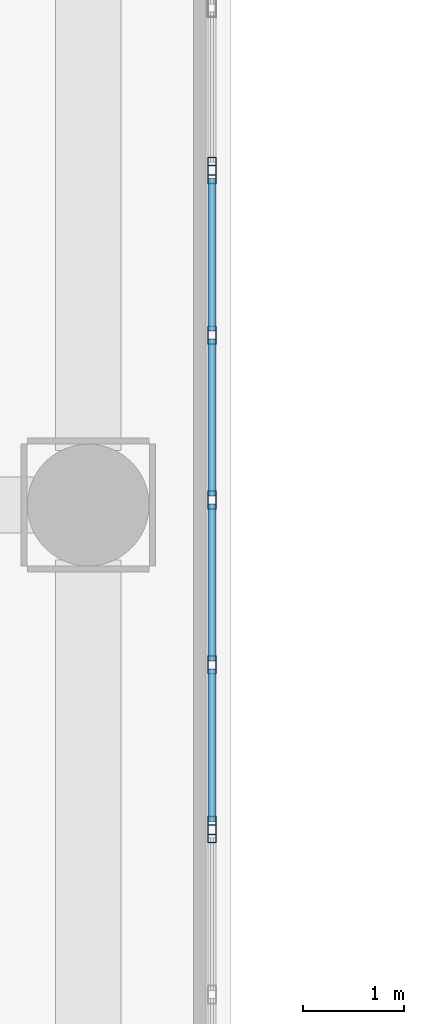
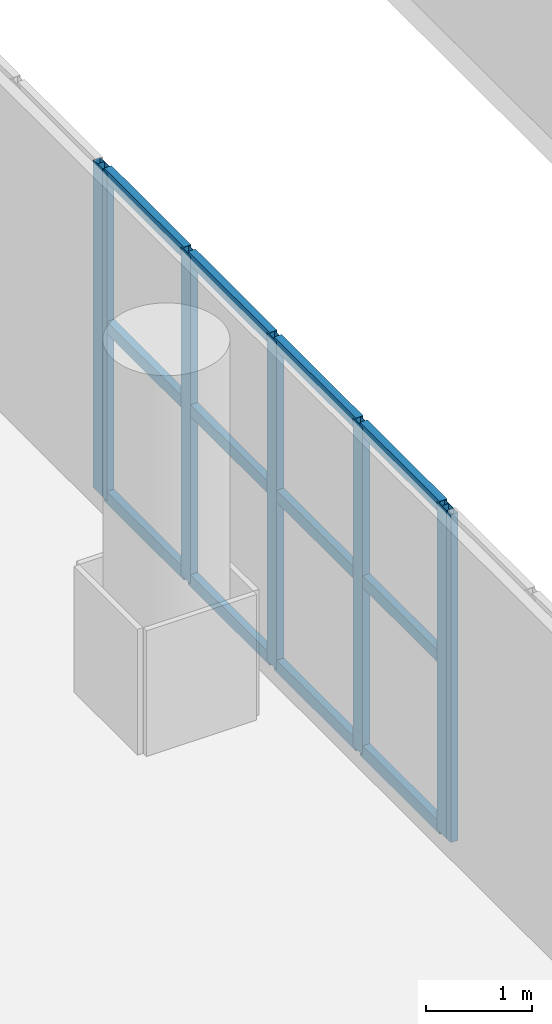
# One storey, part 9 of 22: 19 members, 3 elements without a shape of their own.
"""IFC4 building model written with IfcOpenShell, lengths in metres."""

from ifc_helpers import new_model, si_unit, direction, frame, origin, origin_2d, place, context, subcontext, project, spatial, hollow_rectangle, extrude, material, layer, layer_set, material_profile, profile_set, type_object, element, aggregate, save


model = new_model("IFC4")

# Units and contexts
model_context = context("Model", 3, precision=1e-05, world=origin(), true_north=direction((0.0, 1.0)))
body_context = subcontext(model_context, "Body", "Model", "MODEL_VIEW")
ifc_project = project(units=[si_unit("LENGTHUNIT", "METRE"), si_unit("AREAUNIT", "SQUARE_METRE"), si_unit("VOLUMEUNIT", "CUBIC_METRE"), si_unit("PLANEANGLEUNIT", "RADIAN"), si_unit("MASSUNIT", "GRAM", prefix="KILO")], contexts=[model_context])

# Site, building, storey
site_placement = place(None, origin())
site = spatial("IfcSite", under=ifc_project, at=site_placement, CompositionType="ELEMENT")
building_placement = place(site_placement, origin())
building = spatial("IfcBuilding", under=site, at=building_placement, Name="Solanera Arch Residences", CompositionType="ELEMENT")
storey_placement = place(building_placement, frame((0.0, 0.0, 13.60009765625)))
storey = spatial("IfcBuildingStorey", under=building, at=storey_placement, Name="L03", CompositionType="ELEMENT", Elevation=13.60009765625)

# Curtain wall, member
ifc_material_1 = material(Name="Anodised Aluminium Alloy 6063-T6", Category="aluminium")
ifc_layer = layer(ifc_material_1, 0.179931640625)
ifc_layer_set = layer_set([ifc_layer], Name="Anodised Aluminium Alloy 6063-T6")
curtain_wall_type = type_object("IfcCurtainWallType", Name="CW-4 Podium Conservatory Curtain Wall", PredefinedType="USERDEFINED", material=ifc_layer_set)
curtain_wall_1_placement = place(storey_placement, origin())
curtain_wall_1 = element("IfcCurtainWall", 1, at=curtain_wall_1_placement, inside=storey, type_object=curtain_wall_type, Name="L03 Podium Conservatory Curtain Wall 1", ObjectType="CURTAIN_WALL", PredefinedType="USERDEFINED")
ifc_material_2 = material(Name="Anodised Aluminium Alloy 6063-T6", Category="aluminium")
ifc_material_profile_1 = material_profile(ifc_material_2, hollow_rectangle(XDim=0.080078125, YDim=0.179931640625, WallThickness=0.00390625, at=origin_2d()))
ifc_profile_set_1 = profile_set([ifc_material_profile_1], Name="Anodised Aluminium Alloy 6063-T6")
member_type_1 = type_object("IfcMemberType", Name="Curtain Wall Mullion ALU-MUL-80X180", PredefinedType="MULLION", material=ifc_profile_set_1)
member_1_placement = place(storey_placement, frame((47.820068359375, 34.0400390625, 0.0), z_axis=(0.0, 0.0, 1.0), x_axis=(1.0, 0.0, 0.0)))
member_1 = element("IfcMember", 2, at=member_1_placement, type_object=member_type_1, Name="CW-4 mullion 5", PredefinedType="MULLION", context=body_context, shape_type="SweptSolid", body=[
    extrude(hollow_rectangle(XDim=0.080078125, YDim=0.179931640625, WallThickness=0.00390625, at=origin_2d()), origin(), (0.0, 0.0, 1.0), 3.77978515625),
])
aggregate(curtain_wall_1, [member_1])

# Curtain wall, members
curtain_wall_2_placement = place(storey_placement, origin())
curtain_wall_2 = element("IfcCurtainWall", 3, at=curtain_wall_2_placement, inside=storey, type_object=curtain_wall_type, Name="L03 Podium Conservatory Curtain Wall 2", ObjectType="CURTAIN_WALL", PredefinedType="USERDEFINED")
member_2_placement = place(storey_placement, frame((47.820068359375, 33.9599609375, 0.0), z_axis=(0.0, 0.0, 1.0), x_axis=(1.0, 0.0, 0.0)))
member_2 = element("IfcMember", 4, at=member_2_placement, type_object=member_type_1, Name="CW-4 mullion 1", PredefinedType="MULLION", context=body_context, shape_type="SweptSolid", body=[
    extrude(hollow_rectangle(XDim=0.080078125, YDim=0.179931640625, WallThickness=0.00390625, at=origin_2d()), origin(), (0.0, 0.0, 1.0), 3.77978515625),
])
member_3_placement = place(storey_placement, frame((47.820068359375, 32.375, 0.0), z_axis=(0.0, 0.0, 1.0), x_axis=(1.0, 0.0, 0.0)))
member_3 = element("IfcMember", 5, at=member_3_placement, type_object=member_type_1, Name="CW-4 mullion 2", PredefinedType="MULLION", context=body_context, shape_type="SweptSolid", body=[
    extrude(hollow_rectangle(XDim=0.080078125, YDim=0.179931640625, WallThickness=0.00390625, at=origin_2d()), origin(), (0.0, 0.0, 1.0), 3.77978515625),
])
member_4_placement = place(storey_placement, frame((47.820068359375, 30.75, 0.0), z_axis=(0.0, 0.0, 1.0), x_axis=(1.0, 0.0, 0.0)))
member_4 = element("IfcMember", 6, at=member_4_placement, type_object=member_type_1, Name="CW-4 mullion 3", PredefinedType="MULLION", context=body_context, shape_type="SweptSolid", body=[
    extrude(hollow_rectangle(XDim=0.080078125, YDim=0.179931640625, WallThickness=0.00390625, at=origin_2d()), origin(), (0.0, 0.0, 1.0), 3.77978515625),
])
member_5_placement = place(storey_placement, frame((47.820068359375, 29.125, 0.0), z_axis=(0.0, 0.0, 1.0), x_axis=(1.0, 0.0, 0.0)))
member_5 = element("IfcMember", 7, at=member_5_placement, type_object=member_type_1, Name="CW-4 mullion 4", PredefinedType="MULLION", context=body_context, shape_type="SweptSolid", body=[
    extrude(hollow_rectangle(XDim=0.080078125, YDim=0.179931640625, WallThickness=0.00390625, at=origin_2d()), origin(), (0.0, 0.0, 1.0), 3.77978515625),
])
member_6_placement = place(storey_placement, frame((47.820068359375, 27.5400390625, 0.0), z_axis=(0.0, 0.0, 1.0), x_axis=(1.0, 0.0, 0.0)))
member_6 = element("IfcMember", 8, at=member_6_placement, type_object=member_type_1, Name="CW-4 mullion 5", PredefinedType="MULLION", context=body_context, shape_type="SweptSolid", body=[
    extrude(hollow_rectangle(XDim=0.080078125, YDim=0.179931640625, WallThickness=0.00390625, at=origin_2d()), origin(), (0.0, 0.0, 1.0), 3.77978515625),
])

# Curtain wall, member
curtain_wall_3_placement = place(storey_placement, origin())
curtain_wall_3 = element("IfcCurtainWall", 9, at=curtain_wall_3_placement, inside=storey, type_object=curtain_wall_type, Name="L03 Podium Conservatory Curtain Wall 3", ObjectType="CURTAIN_WALL", PredefinedType="USERDEFINED")
member_7_placement = place(storey_placement, frame((47.820068359375, 27.4599609375, 0.0), z_axis=(0.0, 0.0, 1.0), x_axis=(1.0, 0.0, 0.0)))
member_7 = element("IfcMember", 10, at=member_7_placement, type_object=member_type_1, Name="CW-4 mullion 1", PredefinedType="MULLION", context=body_context, shape_type="SweptSolid", body=[
    extrude(hollow_rectangle(XDim=0.080078125, YDim=0.179931640625, WallThickness=0.00390625, at=origin_2d()), origin(), (0.0, 0.0, 1.0), 3.77978515625),
])
aggregate(curtain_wall_3, [member_7])

# Member
ifc_material_3 = material(Name="Anodised Aluminium Alloy 6063-T6", Category="aluminium")
ifc_material_profile_2 = material_profile(ifc_material_3, hollow_rectangle(XDim=0.080078125, YDim=0.139892578125, WallThickness=0.00390625, at=origin_2d()))
ifc_profile_set_2 = profile_set([ifc_material_profile_2], Name="Anodised Aluminium Alloy 6063-T6")
member_type_2 = type_object("IfcMemberType", Name="Curtain Wall Transom ALU-TRN-80X140", PredefinedType="USERDEFINED", material=ifc_profile_set_2)
member_8_placement = place(storey_placement, frame((47.820068359375, 33.919921875, 0.039794921875), z_axis=(0.0, -1.0, 0.0), x_axis=(1.0, 0.0, 0.0)))
member_8 = element("IfcMember", 11, at=member_8_placement, type_object=member_type_2, Name="CW-4 transom 1.1", ObjectType="TRANSOM", PredefinedType="USERDEFINED", context=body_context, shape_type="SweptSolid", body=[
    extrude(hollow_rectangle(XDim=0.080078125, YDim=0.139892578125, WallThickness=0.00390625, at=origin_2d()), origin(), (0.0, 0.0, 1.0), 1.5048828125),
])

member_9_placement = place(storey_placement, frame((47.820068359375, 33.919921875, 2.0), z_axis=(0.0, -1.0, 0.0), x_axis=(1.0, 0.0, 0.0)))
member_9 = element("IfcMember", 12, at=member_9_placement, type_object=member_type_2, Name="CW-4 transom 1.2", ObjectType="TRANSOM", PredefinedType="USERDEFINED", context=body_context, shape_type="SweptSolid", body=[
    extrude(hollow_rectangle(XDim=0.080078125, YDim=0.139892578125, WallThickness=0.00390625, at=origin_2d()), origin(), (0.0, 0.0, 1.0), 1.5048828125),
])

member_10_placement = place(storey_placement, frame((47.820068359375, 33.919921875, 3.739990234375), z_axis=(0.0, -1.0, 0.0), x_axis=(1.0, 0.0, 0.0)))
member_10 = element("IfcMember", 13, at=member_10_placement, type_object=member_type_2, Name="CW-4 transom 1.3", ObjectType="TRANSOM", PredefinedType="USERDEFINED", context=body_context, shape_type="SweptSolid", body=[
    extrude(hollow_rectangle(XDim=0.080078125, YDim=0.139892578125, WallThickness=0.00390625, at=origin_2d()), origin(), (0.0, 0.0, 1.0), 1.5048828125),
])

member_11_placement = place(storey_placement, frame((47.820068359375, 32.3349609375, 0.039794921875), z_axis=(0.0, -1.0, 0.0), x_axis=(1.0, 0.0, 0.0)))
member_11 = element("IfcMember", 14, at=member_11_placement, type_object=member_type_2, Name="CW-4 transom 2.1", ObjectType="TRANSOM", PredefinedType="USERDEFINED", context=body_context, shape_type="SweptSolid", body=[
    extrude(hollow_rectangle(XDim=0.080078125, YDim=0.139892578125, WallThickness=0.00390625, at=origin_2d()), origin(), (0.0, 0.0, 1.0), 1.544921875),
])

member_12_placement = place(storey_placement, frame((47.820068359375, 32.3349609375, 2.0), z_axis=(0.0, -1.0, 0.0), x_axis=(1.0, 0.0, 0.0)))
member_12 = element("IfcMember", 15, at=member_12_placement, type_object=member_type_2, Name="CW-4 transom 2.2", ObjectType="TRANSOM", PredefinedType="USERDEFINED", context=body_context, shape_type="SweptSolid", body=[
    extrude(hollow_rectangle(XDim=0.080078125, YDim=0.139892578125, WallThickness=0.00390625, at=origin_2d()), origin(), (0.0, 0.0, 1.0), 1.544921875),
])

member_13_placement = place(storey_placement, frame((47.820068359375, 32.3349609375, 3.739990234375), z_axis=(0.0, -1.0, 0.0), x_axis=(1.0, 0.0, 0.0)))
member_13 = element("IfcMember", 16, at=member_13_placement, type_object=member_type_2, Name="CW-4 transom 2.3", ObjectType="TRANSOM", PredefinedType="USERDEFINED", context=body_context, shape_type="SweptSolid", body=[
    extrude(hollow_rectangle(XDim=0.080078125, YDim=0.139892578125, WallThickness=0.00390625, at=origin_2d()), origin(), (0.0, 0.0, 1.0), 1.544921875),
])

member_14_placement = place(storey_placement, frame((47.820068359375, 30.7099609375, 0.039794921875), z_axis=(0.0, -1.0, 0.0), x_axis=(1.0, 0.0, 0.0)))
member_14 = element("IfcMember", 17, at=member_14_placement, type_object=member_type_2, Name="CW-4 transom 3.1", ObjectType="TRANSOM", PredefinedType="USERDEFINED", context=body_context, shape_type="SweptSolid", body=[
    extrude(hollow_rectangle(XDim=0.080078125, YDim=0.139892578125, WallThickness=0.00390625, at=origin_2d()), origin(), (0.0, 0.0, 1.0), 1.544921875),
])

member_15_placement = place(storey_placement, frame((47.820068359375, 30.7099609375, 2.0), z_axis=(0.0, -1.0, 0.0), x_axis=(1.0, 0.0, 0.0)))
member_15 = element("IfcMember", 18, at=member_15_placement, type_object=member_type_2, Name="CW-4 transom 3.2", ObjectType="TRANSOM", PredefinedType="USERDEFINED", context=body_context, shape_type="SweptSolid", body=[
    extrude(hollow_rectangle(XDim=0.080078125, YDim=0.139892578125, WallThickness=0.00390625, at=origin_2d()), origin(), (0.0, 0.0, 1.0), 1.544921875),
])

member_16_placement = place(storey_placement, frame((47.820068359375, 30.7099609375, 3.739990234375), z_axis=(0.0, -1.0, 0.0), x_axis=(1.0, 0.0, 0.0)))
member_16 = element("IfcMember", 19, at=member_16_placement, type_object=member_type_2, Name="CW-4 transom 3.3", ObjectType="TRANSOM", PredefinedType="USERDEFINED", context=body_context, shape_type="SweptSolid", body=[
    extrude(hollow_rectangle(XDim=0.080078125, YDim=0.139892578125, WallThickness=0.00390625, at=origin_2d()), origin(), (0.0, 0.0, 1.0), 1.544921875),
])

member_17_placement = place(storey_placement, frame((47.820068359375, 29.0849609375, 0.039794921875), z_axis=(0.0, -1.0, 0.0), x_axis=(1.0, 0.0, 0.0)))
member_17 = element("IfcMember", 20, at=member_17_placement, type_object=member_type_2, Name="CW-4 transom 4.1", ObjectType="TRANSOM", PredefinedType="USERDEFINED", context=body_context, shape_type="SweptSolid", body=[
    extrude(hollow_rectangle(XDim=0.080078125, YDim=0.139892578125, WallThickness=0.00390625, at=origin_2d()), origin(), (0.0, 0.0, 1.0), 1.5048828125),
])

member_18_placement = place(storey_placement, frame((47.820068359375, 29.0849609375, 2.0), z_axis=(0.0, -1.0, 0.0), x_axis=(1.0, 0.0, 0.0)))
member_18 = element("IfcMember", 21, at=member_18_placement, type_object=member_type_2, Name="CW-4 transom 4.2", ObjectType="TRANSOM", PredefinedType="USERDEFINED", context=body_context, shape_type="SweptSolid", body=[
    extrude(hollow_rectangle(XDim=0.080078125, YDim=0.139892578125, WallThickness=0.00390625, at=origin_2d()), origin(), (0.0, 0.0, 1.0), 1.5048828125),
])

member_19_placement = place(storey_placement, frame((47.820068359375, 29.0849609375, 3.739990234375), z_axis=(0.0, -1.0, 0.0), x_axis=(1.0, 0.0, 0.0)))
member_19 = element("IfcMember", 22, at=member_19_placement, type_object=member_type_2, Name="CW-4 transom 4.3", ObjectType="TRANSOM", PredefinedType="USERDEFINED", context=body_context, shape_type="SweptSolid", body=[
    extrude(hollow_rectangle(XDim=0.080078125, YDim=0.139892578125, WallThickness=0.00390625, at=origin_2d()), origin(), (0.0, 0.0, 1.0), 1.5048828125),
])

aggregate(curtain_wall_2, [member_2, member_3, member_4, member_5, member_6, member_8, member_9, member_10, member_11, member_12, member_13, member_14, member_15, member_16, member_17, member_18, member_19])

save(model, "model.ifc")
